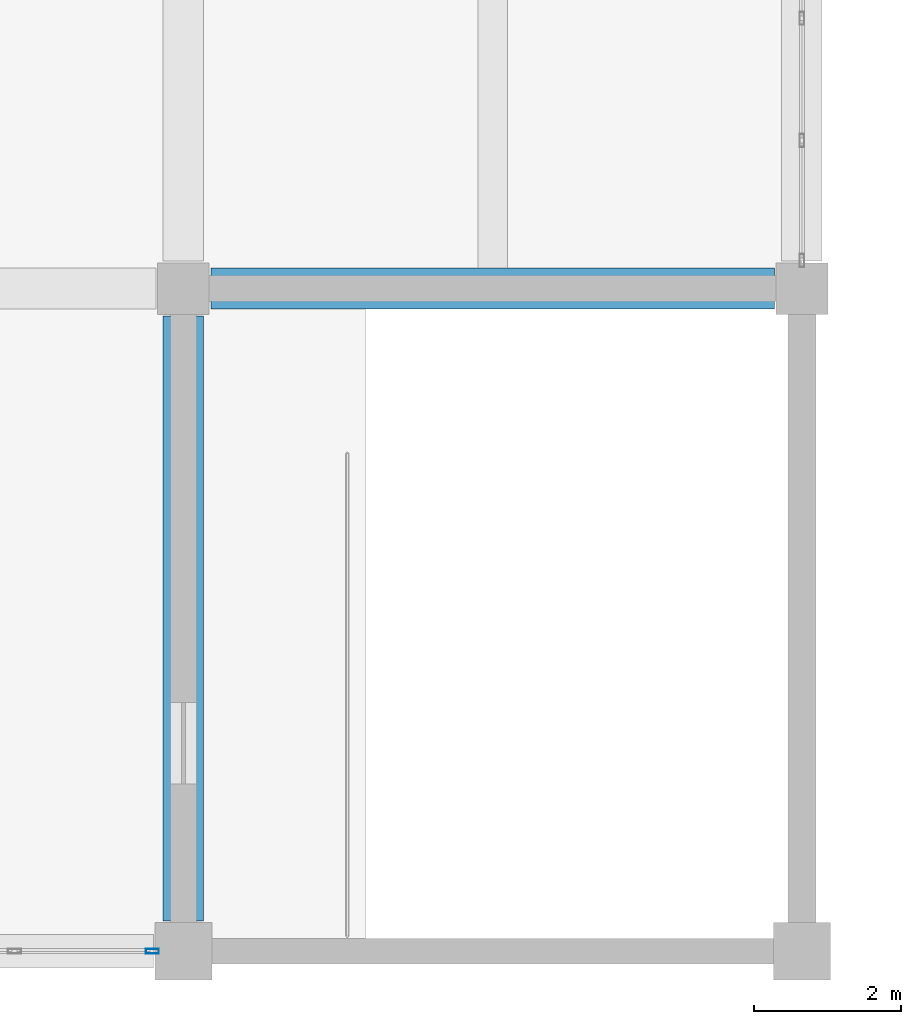
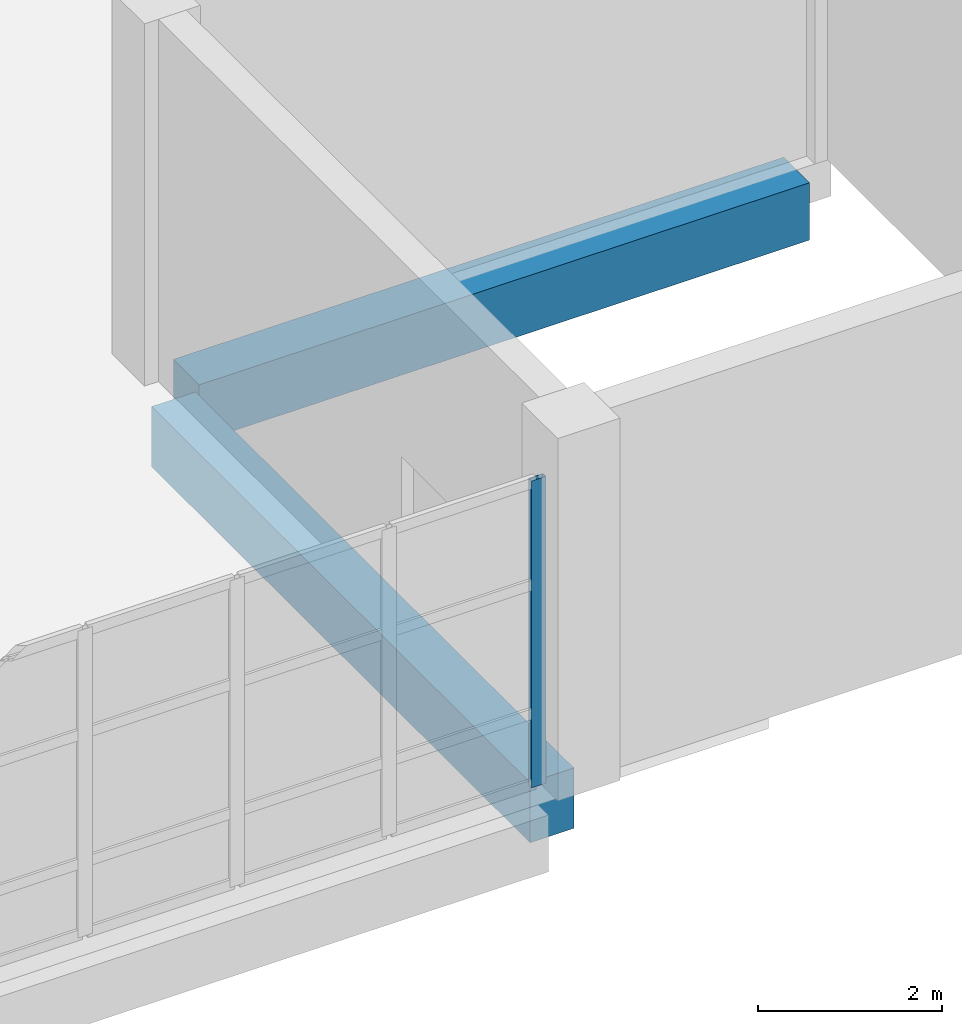
# One storey, part 13 of 91: 2 beams, 1 member, 1 element without a shape of its own.
"""IFC4 building model written with IfcOpenShell, lengths in metres."""

from ifc_helpers import new_model, si_unit, direction, frame, origin, origin_2d, place, context, subcontext, project, spatial, rectangle, hollow_rectangle, extrude, material, material_profile, profile_set, type_object, element, aggregate, save


model = new_model("IFC4")

# Units and contexts
model_context = context("Model", 3, precision=1e-05, world=origin(), true_north=direction((0.0, 1.0)))
body_context = subcontext(model_context, "Body", "Model", "MODEL_VIEW")
ifc_project = project(units=[si_unit("LENGTHUNIT", "METRE"), si_unit("AREAUNIT", "SQUARE_METRE"), si_unit("VOLUMEUNIT", "CUBIC_METRE"), si_unit("PLANEANGLEUNIT", "RADIAN"), si_unit("MASSUNIT", "GRAM", prefix="KILO")], contexts=[model_context])

# Site, building, storey
site_placement = place(None, origin())
site = spatial("IfcSite", under=ifc_project, at=site_placement, CompositionType="ELEMENT")
building_placement = place(site_placement, origin())
building = spatial("IfcBuilding", under=site, at=building_placement, Name="Pellamere Symphony Hall", CompositionType="ELEMENT")
storey_placement = place(building_placement, frame((0.0, 0.0, 5.39990234375)))
storey = spatial("IfcBuildingStorey", under=building, at=storey_placement, Name="L01", CompositionType="ELEMENT", Elevation=5.39990234375)

# Curtain wall, member
ifc_material_1 = material(Name="Thermally Broken Anodised Aluminium 6063-T6 Curtain Wall", Category="aluminium")
curtain_wall_type = type_object("IfcCurtainWallType", Name="Curtain Wall CW-04 (Chamber Music Lobby Curtain Wall)", PredefinedType="NOTDEFINED", material=ifc_material_1)
curtain_wall_placement = place(storey_placement, origin())
curtain_wall = element("IfcCurtainWall", 1, at=curtain_wall_placement, inside=storey, type_object=curtain_wall_type, Name="Chamber Lobby South Curtain Wall (L01 Bay 2)", PredefinedType="NOTDEFINED")
ifc_material_2 = material(Name="Anodised Architectural Aluminium 6063-T6", Category="aluminium")
ifc_material_profile_1 = material_profile(ifc_material_2, hollow_rectangle(XDim=0.06494140625, YDim=0.179931640625, WallThickness=0.00390625, at=origin_2d()), Name="ALU-M65X180X4")
ifc_profile_set_1 = profile_set([ifc_material_profile_1], Name="Anodised Architectural Aluminium 6063-T6")
member_type = type_object("IfcMemberType", Name="Curtain Wall Mullion ML-02 ALU-M65X180X4", PredefinedType="MULLION", material=ifc_profile_set_1)
member_placement = place(storey_placement, frame((33.177490234375, 0.0, 0.0), z_axis=(0.0, 0.0, 1.0), x_axis=(0.0, 1.0, 0.0)))
member = element("IfcMember", 2, at=member_placement, type_object=member_type, Name="CW4-115 crystal mullion 5", PredefinedType="MULLION", context=body_context, shape_type="SweptSolid", body=[
    extrude(hollow_rectangle(XDim=0.06494140625, YDim=0.179931640625, WallThickness=0.00390625, at=origin_2d()), origin(), (0.0, 0.0, 1.0), 4.064208984375),
])
aggregate(curtain_wall, [member])

# Beams
ifc_material_3 = material(Name="Concrete 40 MPa", Category="concrete")
ifc_material_profile_2 = material_profile(ifc_material_3, rectangle(XDim=0.550048828125, YDim=0.800048828125, at=origin_2d()), Name="RC 550x800")
ifc_profile_set_2 = profile_set([ifc_material_profile_2], Name="Concrete 40 MPa")
beam_type_1 = type_object("IfcBeamType", Name="RC CB-05 550x800", PredefinedType="BEAM", material=ifc_profile_set_2)
beam_1_placement = place(storey_placement, frame((33.60009765625, 0.409912109375, -0.679931640625), z_axis=(0.0, 1.0, 0.0), x_axis=(-1.0, 0.0, 0.0)))
element("IfcBeam", 3, at=beam_1_placement, inside=storey, type_object=beam_type_1, Name="Girder CB-05-Y0734 (L01)", PredefinedType="BEAM", context=body_context, shape_type="SweptSolid", body=[
    extrude(rectangle(XDim=0.550048828125, YDim=0.800048828125, at=origin_2d()), origin(), (0.0, 0.0, 1.0), 8.215087890625),
])
ifc_material_profile_3 = material_profile(ifc_material_3, rectangle(XDim=0.56005859375, YDim=0.760009765625, at=origin_2d()), Name="RC 560x760")
ifc_profile_set_3 = profile_set([ifc_material_profile_3], Name="Concrete 40 MPa")
beam_type_2 = type_object("IfcBeamType", Name="RC CB-18 560x760", PredefinedType="BEAM", material=ifc_profile_set_3)
beam_2_placement = place(storey_placement, frame((33.97509765625, 9.0, -0.659912109375), z_axis=(1.0, 0.0, 0.0), x_axis=(0.0, 1.0, 0.0)))
element("IfcBeam", 4, at=beam_2_placement, inside=storey, type_object=beam_type_2, Name="Girder CB-18-X0541 (L01)", PredefinedType="BEAM", context=body_context, shape_type="SweptSolid", body=[
    extrude(rectangle(XDim=0.56005859375, YDim=0.760009765625, at=origin_2d()), origin(), (0.0, 0.0, 1.0), 7.64990234375),
])

save(model, "model.ifc")
